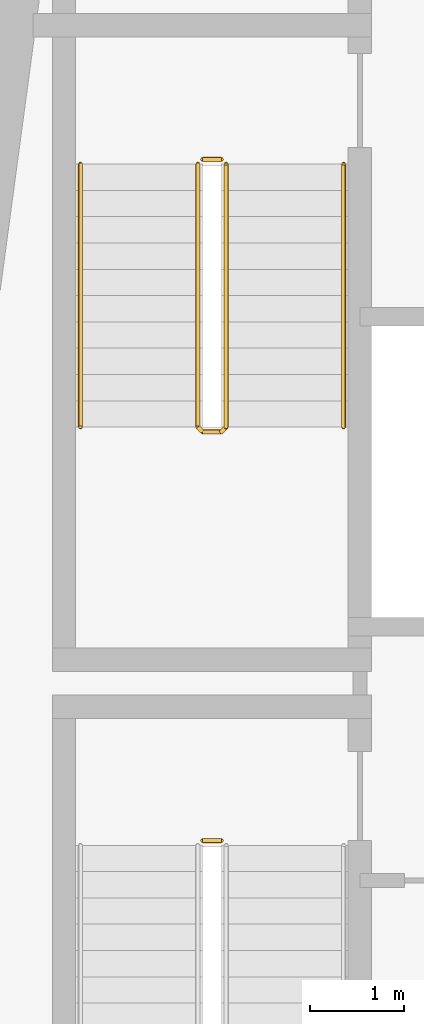
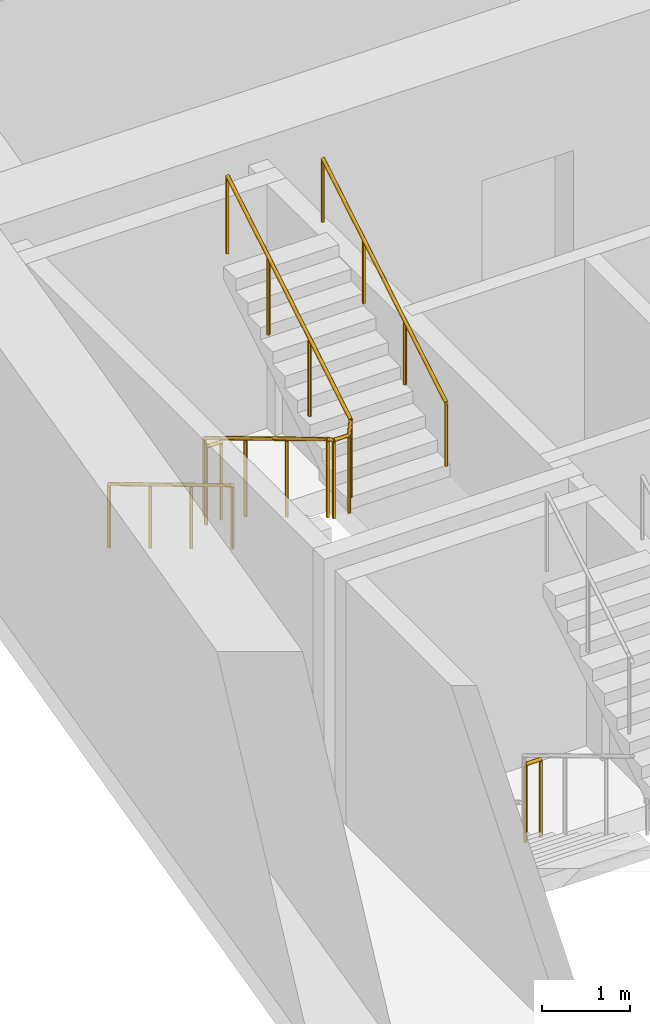
# One storey, part 9 of 12: 5 railings.
"""IFC4 building model written with IfcOpenShell, lengths in metres."""

from ifc_helpers import new_model, si_unit, direction, frame, origin, origin_2d, place, context, subcontext, project, spatial, circle, extrude, material, type_object, element, save


model = new_model("IFC4")

# Units and contexts
model_context = context("Model", 3, precision=1e-05, world=origin(), true_north=direction((0.0, 1.0)))
body_context = subcontext(model_context, "Body", "Model", "MODEL_VIEW")
ifc_project = project(units=[si_unit("LENGTHUNIT", "METRE"), si_unit("AREAUNIT", "SQUARE_METRE"), si_unit("VOLUMEUNIT", "CUBIC_METRE"), si_unit("PLANEANGLEUNIT", "RADIAN"), si_unit("MASSUNIT", "GRAM", prefix="KILO")], contexts=[model_context])

# Site, building, storey
site_placement = place(None, origin())
site = spatial("IfcSite", under=ifc_project, at=site_placement, CompositionType="ELEMENT")
building_placement = place(site_placement, origin())
building = spatial("IfcBuilding", under=site, at=building_placement, Name="Candeia Pilgrim Tower and Theatre", CompositionType="ELEMENT")
storey_placement = place(building_placement, frame((0.0, 0.0, 166.300048828125)))
storey = spatial("IfcBuildingStorey", under=building, at=storey_placement, Name="L39", CompositionType="ELEMENT", Elevation=166.300048828125)

# Railings
ifc_material_1 = material(Name="Stainless steel balustrade", Category="steel")
railing_type_1 = type_object("IfcRailingType", Name="RL-GUARD-1100", PredefinedType="GUARDRAIL", material=ifc_material_1)
railing_1_placement = place(storey_placement, frame((91.152099609375, 122.52490234375, 0.0)))
element("IfcRailing", 1, at=railing_1_placement, inside=storey, type_object=railing_type_1, Name="L39 ST1 stair guard 2", PredefinedType="GUARDRAIL", context=body_context, shape_type="SweptSolid", body=[
    extrude(circle(Radius=0.02392578125, at=origin_2d()), frame((0.0, 0.0, 1.076171875), z_axis=(1.0, 0.0, 0.0), x_axis=(0.0, 1.0, 0.0)), (0.0, 0.0, 1.0), 0.199951171875),
    extrude(circle(Radius=0.02099609375, at=origin_2d()), origin(), (0.0, 0.0, 1.0), 1.052001953125),
    extrude(circle(Radius=0.02099609375, at=origin_2d()), frame((0.199951171875, 0.0, 0.0)), (0.0, 0.0, 1.0), 1.052001953125),
])
railing_2_placement = place(storey_placement, frame((91.10205078125, 129.72509765625, 0.168212890625)))
element("IfcRailing", 2, at=railing_2_placement, inside=storey, type_object=railing_type_1, Name="L39 ST2 stair guard 1", PredefinedType="GUARDRAIL", context=body_context, shape_type="SweptSolid", body=[
    extrude(circle(Radius=0.02392578125, at=origin_2d()), frame((0.0, 0.0, 1.076171875), z_axis=(0.0, -0.857275202839, 0.514858452973), x_axis=(1.0, 0.0, 0.0)), (0.0, 0.0, 1.0), 3.26611328125),
    extrude(circle(Radius=0.02392578125, at=origin_2d()), frame((0.0, -2.800048828125, 2.7578125), z_axis=(0.707106781187, -0.707106781187, 0.0), x_axis=(0.707106781187, 0.707106781187, 0.0)), (0.0, 0.0, 1.0), 0.07080078125),
    extrude(circle(Radius=0.02392578125, at=origin_2d()), frame((0.050048828125, -2.85009765625, 2.7578125), z_axis=(1.0, 0.0, 0.0), x_axis=(0.0, 1.0, 0.0)), (0.0, 0.0, 1.0), 0.199951171875),
    extrude(circle(Radius=0.02392578125, at=origin_2d()), frame((0.25, -2.85009765625, 2.7578125), z_axis=(0.274243871929, 0.274243871929, 0.92172696468), x_axis=(-0.707106781187, 0.707106781187, 0.0)), (0.0, 0.0, 1.0), 0.1826171875),
    extrude(circle(Radius=0.02392578125, at=origin_2d()), frame((0.300048828125, -2.800048828125, 2.92578125), z_axis=(0.0, 0.857242210791, 0.514913383045), x_axis=(-1.0, 0.0, 0.0)), (0.0, 0.0, 1.0), 3.266357421875),
    extrude(circle(Radius=0.02099609375, at=origin_2d()), origin(), (0.0, 0.0, 1.0), 1.052001953125),
    extrude(circle(Radius=0.02099609375, at=origin_2d()), frame((0.0, -0.933349609375, 0.560546875)), (0.0, 0.0, 1.0), 1.052001953125),
    extrude(circle(Radius=0.02099609375, at=origin_2d()), frame((0.0, -1.86669921875, 1.12109375)), (0.0, 0.0, 1.0), 1.052001953125),
    extrude(circle(Radius=0.02099609375, at=origin_2d()), frame((0.0, -2.800048828125, 1.681640625)), (0.0, 0.0, 1.0), 1.052001953125),
    extrude(circle(Radius=0.02099609375, at=origin_2d()), frame((0.050048828125, -2.85009765625, 1.681640625)), (0.0, 0.0, 1.0), 1.052001953125),
    extrude(circle(Radius=0.02099609375, at=origin_2d()), frame((0.25, -2.85009765625, 1.681640625)), (0.0, 0.0, 1.0), 1.052001953125),
    extrude(circle(Radius=0.02099609375, at=origin_2d()), frame((0.300048828125, -2.800048828125, 1.849853515625)), (0.0, 0.0, 1.0), 1.052001953125),
    extrude(circle(Radius=0.02099609375, at=origin_2d()), frame((0.300048828125, -1.86669921875, 2.410400390625)), (0.0, 0.0, 1.0), 1.052001953125),
    extrude(circle(Radius=0.02099609375, at=origin_2d()), frame((0.300048828125, -0.933349609375, 2.97119140625)), (0.0, 0.0, 1.0), 1.052001953125),
    extrude(circle(Radius=0.02099609375, at=origin_2d()), frame((0.300048828125, 0.0, 3.53173828125)), (0.0, 0.0, 1.0), 1.052001953125),
])
railing_3_placement = place(storey_placement, frame((91.152099609375, 129.77490234375, 0.0)))
element("IfcRailing", 3, at=railing_3_placement, inside=storey, type_object=railing_type_1, Name="L39 ST2 stair guard 2", PredefinedType="GUARDRAIL", context=body_context, shape_type="SweptSolid", body=[
    extrude(circle(Radius=0.02392578125, at=origin_2d()), frame((0.0, 0.0, 1.076171875), z_axis=(1.0, 0.0, 0.0), x_axis=(0.0, 1.0, 0.0)), (0.0, 0.0, 1.0), 0.199951171875),
    extrude(circle(Radius=0.02099609375, at=origin_2d()), origin(), (0.0, 0.0, 1.0), 1.052001953125),
    extrude(circle(Radius=0.02099609375, at=origin_2d()), frame((0.199951171875, 0.0, 0.0)), (0.0, 0.0, 1.0), 1.052001953125),
])
ifc_material_2 = material(Name="Stainless steel handrail", Category="steel")
railing_type_2 = type_object("IfcRailingType", Name="RL-HANDRAIL-900", PredefinedType="HANDRAIL", material=ifc_material_2)
railing_4_placement = place(storey_placement, frame((89.85205078125, 129.72509765625, 0.168212890625)))
element("IfcRailing", 4, at=railing_4_placement, inside=storey, type_object=railing_type_2, Name="L39 ST2 stair handrail 1", PredefinedType="HANDRAIL", context=body_context, shape_type="SweptSolid", body=[
    extrude(circle(Radius=0.02392578125, at=origin_2d()), frame((0.0, 0.0, 0.8759765625), z_axis=(0.0, -0.857275202839, 0.514858452973), x_axis=(1.0, 0.0, 0.0)), (0.0, 0.0, 1.0), 3.26611328125),
    extrude(circle(Radius=0.02099609375, at=origin_2d()), origin(), (0.0, 0.0, 1.0), 0.851806640625),
    extrude(circle(Radius=0.02099609375, at=origin_2d()), frame((0.0, -0.933349609375, 0.560546875)), (0.0, 0.0, 1.0), 0.851806640625),
    extrude(circle(Radius=0.02099609375, at=origin_2d()), frame((0.0, -1.86669921875, 1.12109375)), (0.0, 0.0, 1.0), 0.851806640625),
    extrude(circle(Radius=0.02099609375, at=origin_2d()), frame((0.0, -2.800048828125, 1.681640625)), (0.0, 0.0, 1.0), 0.851806640625),
])
railing_5_placement = place(storey_placement, frame((92.652099609375, 126.925048828125, 2.01806640625)))
element("IfcRailing", 5, at=railing_5_placement, inside=storey, type_object=railing_type_2, Name="L39 ST2 stair handrail 2", PredefinedType="HANDRAIL", context=body_context, shape_type="SweptSolid", body=[
    extrude(circle(Radius=0.02392578125, at=origin_2d()), frame((0.0, 0.0, 0.8759765625), z_axis=(0.0, 0.857242210791, 0.514913383045), x_axis=(-1.0, 0.0, 0.0)), (0.0, 0.0, 1.0), 3.266357421875),
    extrude(circle(Radius=0.02099609375, at=origin_2d()), origin(), (0.0, 0.0, 1.0), 0.851806640625),
    extrude(circle(Radius=0.02099609375, at=origin_2d()), frame((0.0, 0.933349609375, 0.560546875)), (0.0, 0.0, 1.0), 0.851806640625),
    extrude(circle(Radius=0.02099609375, at=origin_2d()), frame((0.0, 1.86669921875, 1.121337890625)), (0.0, 0.0, 1.0), 0.851806640625),
    extrude(circle(Radius=0.02099609375, at=origin_2d()), frame((0.0, 2.800048828125, 1.681884765625)), (0.0, 0.0, 1.0), 0.851806640625),
])

save(model, "model.ifc")
